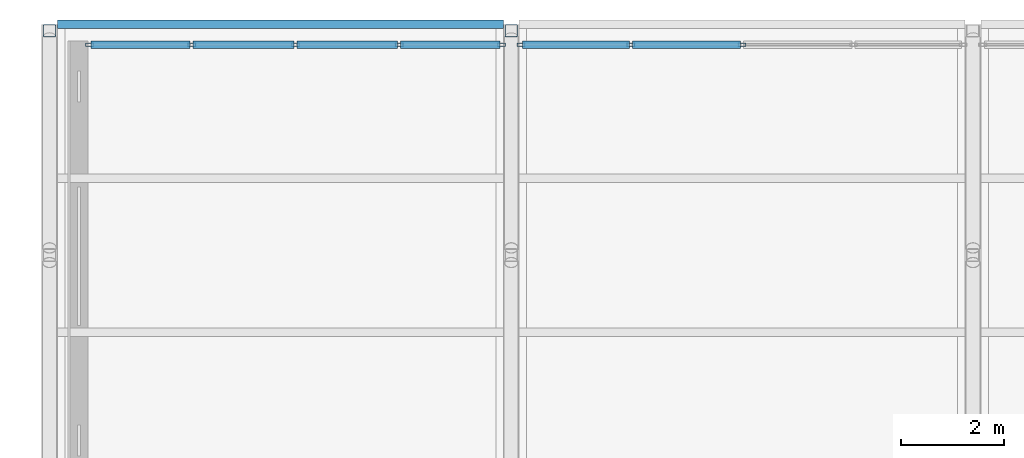
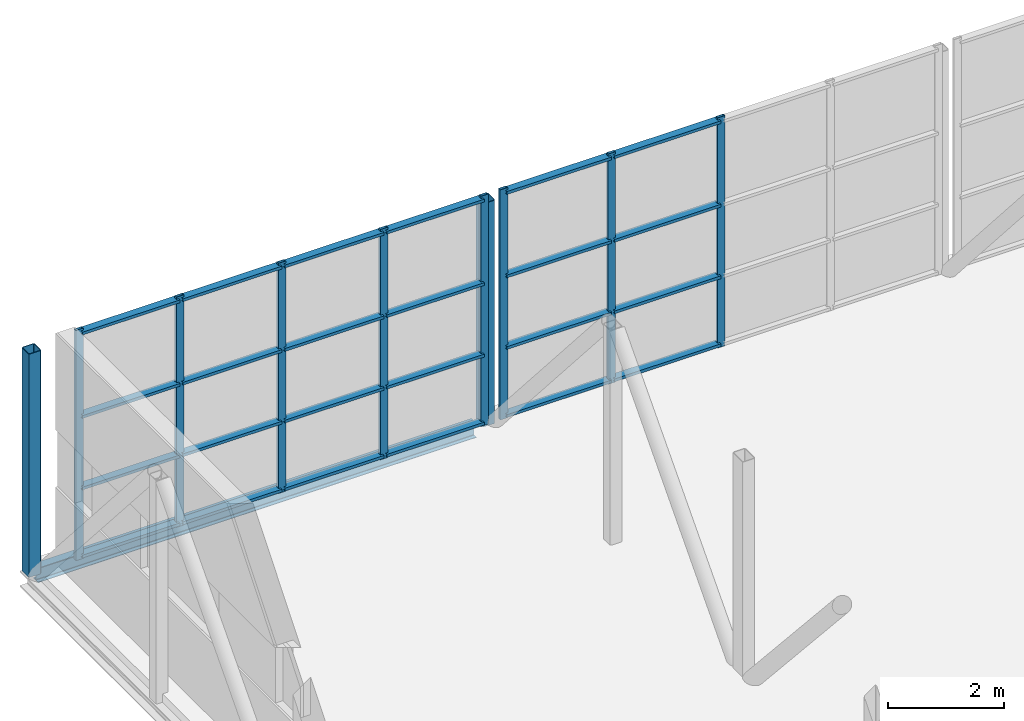
# One storey, part 63 of 94: 34 members, 1 beam, 2 elements without a shape of their own.
"""IFC4 building model written with IfcOpenShell, lengths in metres."""

from ifc_helpers import new_model, si_unit, direction, frame, origin, origin_2d, place, context, subcontext, project, spatial, hollow_rectangle, i_section, extrude, material, layer, layer_set, material_profile, profile_set, type_object, element, aggregate, save


model = new_model("IFC4")

# Units and contexts
model_context = context("Model", 3, precision=1e-05, world=origin(), true_north=direction((0.0, 1.0)))
body_context = subcontext(model_context, "Body", "Model", "MODEL_VIEW")
ifc_project = project(units=[si_unit("LENGTHUNIT", "METRE"), si_unit("AREAUNIT", "SQUARE_METRE"), si_unit("VOLUMEUNIT", "CUBIC_METRE"), si_unit("PLANEANGLEUNIT", "RADIAN"), si_unit("MASSUNIT", "GRAM", prefix="KILO")], contexts=[model_context])

# Site, building, storey
site_placement = place(None, origin())
site = spatial("IfcSite", under=ifc_project, at=site_placement, CompositionType="ELEMENT")
building_placement = place(site_placement, origin())
building = spatial("IfcBuilding", under=site, at=building_placement, Name="Shorebreak Coast Museum", CompositionType="ELEMENT")
storey_placement = place(building_placement, frame((0.0, 0.0, 31.0)))
storey = spatial("IfcBuildingStorey", under=building, at=storey_placement, Name="L05", CompositionType="ELEMENT", Elevation=31.0)

# Curtain wall, members
ifc_material_1 = material(Name="Aluminium", Category="aluminium")
ifc_layer = layer(ifc_material_1, 0.14990234375)
ifc_layer_set = layer_set([ifc_layer], Name="Aluminium")
curtain_wall_type = type_object("IfcCurtainWallType", Name="Barrel end glazing", PredefinedType="NOTDEFINED", material=ifc_layer_set)
curtain_wall_1_placement = place(storey_placement, origin())
curtain_wall_1 = element("IfcCurtainWall", 1, at=curtain_wall_1_placement, inside=storey, type_object=curtain_wall_type, Name="Barrel end glazing L05 1", PredefinedType="NOTDEFINED")
ifc_material_2 = material(Name="Aluminium", Category="aluminium")
ifc_material_profile_1 = material_profile(ifc_material_2, hollow_rectangle(XDim=0.06005859375, YDim=0.14990234375, WallThickness=0.00390625, at=origin_2d()), Name="AL 150x60 RHS")
ifc_profile_set_1 = profile_set([ifc_material_profile_1], Name="Aluminium")
member_type_1 = type_object("IfcMemberType", Name="Barrel mullion 60 x 150", PredefinedType="MULLION", material=ifc_profile_set_1)
member_1_placement = place(storey_placement, frame((54.780029296875, 134.60009765625, 0.0), z_axis=(0.0, 0.0, 1.0), x_axis=(0.0, 1.0, 0.0)))
member_1 = element("IfcMember", 2, at=member_1_placement, type_object=member_type_1, Name="CW7 mullion 1", PredefinedType="MULLION", context=body_context, shape_type="SweptSolid", body=[
    extrude(hollow_rectangle(XDim=0.06005859375, YDim=0.14990234375, WallThickness=0.00390625, at=origin_2d()), origin(), (0.0, 0.0, 1.0), 4.824951171875),
])
member_2_placement = place(storey_placement, frame((56.77197265625, 134.60009765625, 0.0), z_axis=(0.0, 0.0, 1.0), x_axis=(0.0, 1.0, 0.0)))
member_2 = element("IfcMember", 3, at=member_2_placement, type_object=member_type_1, Name="CW7 mullion 2", PredefinedType="MULLION", context=body_context, shape_type="SweptSolid", body=[
    extrude(hollow_rectangle(XDim=0.06005859375, YDim=0.14990234375, WallThickness=0.00390625, at=origin_2d()), origin(), (0.0, 0.0, 1.0), 4.824951171875),
])
member_3_placement = place(storey_placement, frame((58.7939453125, 134.60009765625, 0.0), z_axis=(0.0, 0.0, 1.0), x_axis=(0.0, 1.0, 0.0)))
member_3 = element("IfcMember", 4, at=member_3_placement, type_object=member_type_1, Name="CW7 mullion 3", PredefinedType="MULLION", context=body_context, shape_type="SweptSolid", body=[
    extrude(hollow_rectangle(XDim=0.06005859375, YDim=0.14990234375, WallThickness=0.00390625, at=origin_2d()), origin(), (0.0, 0.0, 1.0), 4.824951171875),
])
member_4_placement = place(storey_placement, frame((60.816162109375, 134.60009765625, 0.0), z_axis=(0.0, 0.0, 1.0), x_axis=(0.0, 1.0, 0.0)))
member_4 = element("IfcMember", 5, at=member_4_placement, type_object=member_type_1, Name="CW7 mullion 4", PredefinedType="MULLION", context=body_context, shape_type="SweptSolid", body=[
    extrude(hollow_rectangle(XDim=0.06005859375, YDim=0.14990234375, WallThickness=0.00390625, at=origin_2d()), origin(), (0.0, 0.0, 1.0), 4.824951171875),
])
member_5_placement = place(storey_placement, frame((62.80810546875, 134.60009765625, 0.0), z_axis=(0.0, 0.0, 1.0), x_axis=(0.0, 1.0, 0.0)))
member_5 = element("IfcMember", 6, at=member_5_placement, type_object=member_type_1, Name="CW7 mullion 5", PredefinedType="MULLION", context=body_context, shape_type="SweptSolid", body=[
    extrude(hollow_rectangle(XDim=0.06005859375, YDim=0.14990234375, WallThickness=0.00390625, at=origin_2d()), origin(), (0.0, 0.0, 1.0), 4.824951171875),
])

curtain_wall_2_placement = place(storey_placement, origin())
curtain_wall_2 = element("IfcCurtainWall", 7, at=curtain_wall_2_placement, inside=storey, type_object=curtain_wall_type, Name="Barrel end glazing L05 2", PredefinedType="NOTDEFINED")
member_6_placement = place(storey_placement, frame((63.19189453125, 134.60009765625, 0.0), z_axis=(0.0, 0.0, 1.0), x_axis=(0.0, 1.0, 0.0)))
member_6 = element("IfcMember", 8, at=member_6_placement, type_object=member_type_1, Name="CW7 mullion 1", PredefinedType="MULLION", context=body_context, shape_type="SweptSolid", body=[
    extrude(hollow_rectangle(XDim=0.06005859375, YDim=0.14990234375, WallThickness=0.00390625, at=origin_2d()), origin(), (0.0, 0.0, 1.0), 4.824951171875),
])
member_7_placement = place(storey_placement, frame((65.330810546875, 134.60009765625, 0.0), z_axis=(0.0, 0.0, 1.0), x_axis=(0.0, 1.0, 0.0)))
member_7 = element("IfcMember", 9, at=member_7_placement, type_object=member_type_1, Name="CW7 mullion 2", PredefinedType="MULLION", context=body_context, shape_type="SweptSolid", body=[
    extrude(hollow_rectangle(XDim=0.06005859375, YDim=0.14990234375, WallThickness=0.00390625, at=origin_2d()), origin(), (0.0, 0.0, 1.0), 4.824951171875),
])
member_8_placement = place(storey_placement, frame((67.5, 134.60009765625, 0.0), z_axis=(0.0, 0.0, 1.0), x_axis=(0.0, 1.0, 0.0)))
member_8 = element("IfcMember", 10, at=member_8_placement, type_object=member_type_1, Name="CW7 mullion 3", PredefinedType="MULLION", context=body_context, shape_type="SweptSolid", body=[
    extrude(hollow_rectangle(XDim=0.06005859375, YDim=0.14990234375, WallThickness=0.00390625, at=origin_2d()), origin(), (0.0, 0.0, 1.0), 4.824951171875),
])

# Member
ifc_material_3 = material(Name="Aluminium", Category="aluminium")
ifc_material_profile_2 = material_profile(ifc_material_3, hollow_rectangle(XDim=0.14990234375, YDim=0.06005859375, WallThickness=0.00390625, at=origin_2d()), Name="AL 60x150 RHS")
ifc_profile_set_2 = profile_set([ifc_material_profile_2], Name="Aluminium")
member_type_2 = type_object("IfcMemberType", Name="Barrel transom 150 x 60", PredefinedType="USERDEFINED", material=ifc_profile_set_2)
member_9_placement = place(storey_placement, frame((54.81005859375, 134.60009765625, 0.074951171875), z_axis=(1.0, 0.0, 0.0), x_axis=(0.0, 1.0, 0.0)))
member_9 = element("IfcMember", 11, at=member_9_placement, type_object=member_type_2, Name="CW7 transom 1.1", ObjectType="TRANSOM", PredefinedType="USERDEFINED", context=body_context, shape_type="SweptSolid", body=[
    extrude(hollow_rectangle(XDim=0.14990234375, YDim=0.06005859375, WallThickness=0.00390625, at=origin_2d()), origin(), (0.0, 0.0, 1.0), 1.931884765625),
])

member_10_placement = place(storey_placement, frame((54.81005859375, 134.60009765625, 1.5), z_axis=(1.0, 0.0, 0.0), x_axis=(0.0, 1.0, 0.0)))
member_10 = element("IfcMember", 12, at=member_10_placement, type_object=member_type_2, Name="CW7 transom 1.2", ObjectType="TRANSOM", PredefinedType="USERDEFINED", context=body_context, shape_type="SweptSolid", body=[
    extrude(hollow_rectangle(XDim=0.14990234375, YDim=0.06005859375, WallThickness=0.00390625, at=origin_2d()), origin(), (0.0, 0.0, 1.0), 1.931884765625),
])

member_11_placement = place(storey_placement, frame((54.81005859375, 134.60009765625, 3.0), z_axis=(1.0, 0.0, 0.0), x_axis=(0.0, 1.0, 0.0)))
member_11 = element("IfcMember", 13, at=member_11_placement, type_object=member_type_2, Name="CW7 transom 1.3", ObjectType="TRANSOM", PredefinedType="USERDEFINED", context=body_context, shape_type="SweptSolid", body=[
    extrude(hollow_rectangle(XDim=0.14990234375, YDim=0.06005859375, WallThickness=0.00390625, at=origin_2d()), origin(), (0.0, 0.0, 1.0), 1.931884765625),
])

member_12_placement = place(storey_placement, frame((54.81005859375, 134.60009765625, 4.75), z_axis=(1.0, 0.0, 0.0), x_axis=(0.0, 1.0, 0.0)))
member_12 = element("IfcMember", 14, at=member_12_placement, type_object=member_type_2, Name="CW7 transom 1.4", ObjectType="TRANSOM", PredefinedType="USERDEFINED", context=body_context, shape_type="SweptSolid", body=[
    extrude(hollow_rectangle(XDim=0.14990234375, YDim=0.06005859375, WallThickness=0.00390625, at=origin_2d()), origin(), (0.0, 0.0, 1.0), 1.931884765625),
])

member_13_placement = place(storey_placement, frame((56.802001953125, 134.60009765625, 0.074951171875), z_axis=(1.0, 0.0, 0.0), x_axis=(0.0, 1.0, 0.0)))
member_13 = element("IfcMember", 15, at=member_13_placement, type_object=member_type_2, Name="CW7 transom 2.1", ObjectType="TRANSOM", PredefinedType="USERDEFINED", context=body_context, shape_type="SweptSolid", body=[
    extrude(hollow_rectangle(XDim=0.14990234375, YDim=0.06005859375, WallThickness=0.00390625, at=origin_2d()), origin(), (0.0, 0.0, 1.0), 1.962158203125),
])

member_14_placement = place(storey_placement, frame((56.802001953125, 134.60009765625, 1.5), z_axis=(1.0, 0.0, 0.0), x_axis=(0.0, 1.0, 0.0)))
member_14 = element("IfcMember", 16, at=member_14_placement, type_object=member_type_2, Name="CW7 transom 2.2", ObjectType="TRANSOM", PredefinedType="USERDEFINED", context=body_context, shape_type="SweptSolid", body=[
    extrude(hollow_rectangle(XDim=0.14990234375, YDim=0.06005859375, WallThickness=0.00390625, at=origin_2d()), origin(), (0.0, 0.0, 1.0), 1.962158203125),
])

member_15_placement = place(storey_placement, frame((56.802001953125, 134.60009765625, 3.0), z_axis=(1.0, 0.0, 0.0), x_axis=(0.0, 1.0, 0.0)))
member_15 = element("IfcMember", 17, at=member_15_placement, type_object=member_type_2, Name="CW7 transom 2.3", ObjectType="TRANSOM", PredefinedType="USERDEFINED", context=body_context, shape_type="SweptSolid", body=[
    extrude(hollow_rectangle(XDim=0.14990234375, YDim=0.06005859375, WallThickness=0.00390625, at=origin_2d()), origin(), (0.0, 0.0, 1.0), 1.962158203125),
])

member_16_placement = place(storey_placement, frame((56.802001953125, 134.60009765625, 4.75), z_axis=(1.0, 0.0, 0.0), x_axis=(0.0, 1.0, 0.0)))
member_16 = element("IfcMember", 18, at=member_16_placement, type_object=member_type_2, Name="CW7 transom 2.4", ObjectType="TRANSOM", PredefinedType="USERDEFINED", context=body_context, shape_type="SweptSolid", body=[
    extrude(hollow_rectangle(XDim=0.14990234375, YDim=0.06005859375, WallThickness=0.00390625, at=origin_2d()), origin(), (0.0, 0.0, 1.0), 1.962158203125),
])

member_17_placement = place(storey_placement, frame((58.823974609375, 134.60009765625, 0.074951171875), z_axis=(1.0, 0.0, 0.0), x_axis=(0.0, 1.0, 0.0)))
member_17 = element("IfcMember", 19, at=member_17_placement, type_object=member_type_2, Name="CW7 transom 3.1", ObjectType="TRANSOM", PredefinedType="USERDEFINED", context=body_context, shape_type="SweptSolid", body=[
    extrude(hollow_rectangle(XDim=0.14990234375, YDim=0.06005859375, WallThickness=0.00390625, at=origin_2d()), origin(), (0.0, 0.0, 1.0), 1.962158203125),
])

member_18_placement = place(storey_placement, frame((58.823974609375, 134.60009765625, 1.5), z_axis=(1.0, 0.0, 0.0), x_axis=(0.0, 1.0, 0.0)))
member_18 = element("IfcMember", 20, at=member_18_placement, type_object=member_type_2, Name="CW7 transom 3.2", ObjectType="TRANSOM", PredefinedType="USERDEFINED", context=body_context, shape_type="SweptSolid", body=[
    extrude(hollow_rectangle(XDim=0.14990234375, YDim=0.06005859375, WallThickness=0.00390625, at=origin_2d()), origin(), (0.0, 0.0, 1.0), 1.962158203125),
])

member_19_placement = place(storey_placement, frame((58.823974609375, 134.60009765625, 3.0), z_axis=(1.0, 0.0, 0.0), x_axis=(0.0, 1.0, 0.0)))
member_19 = element("IfcMember", 21, at=member_19_placement, type_object=member_type_2, Name="CW7 transom 3.3", ObjectType="TRANSOM", PredefinedType="USERDEFINED", context=body_context, shape_type="SweptSolid", body=[
    extrude(hollow_rectangle(XDim=0.14990234375, YDim=0.06005859375, WallThickness=0.00390625, at=origin_2d()), origin(), (0.0, 0.0, 1.0), 1.962158203125),
])

member_20_placement = place(storey_placement, frame((58.823974609375, 134.60009765625, 4.75), z_axis=(1.0, 0.0, 0.0), x_axis=(0.0, 1.0, 0.0)))
member_20 = element("IfcMember", 22, at=member_20_placement, type_object=member_type_2, Name="CW7 transom 3.4", ObjectType="TRANSOM", PredefinedType="USERDEFINED", context=body_context, shape_type="SweptSolid", body=[
    extrude(hollow_rectangle(XDim=0.14990234375, YDim=0.06005859375, WallThickness=0.00390625, at=origin_2d()), origin(), (0.0, 0.0, 1.0), 1.962158203125),
])

member_21_placement = place(storey_placement, frame((60.84619140625, 134.60009765625, 0.074951171875), z_axis=(1.0, 0.0, 0.0), x_axis=(0.0, 1.0, 0.0)))
member_21 = element("IfcMember", 23, at=member_21_placement, type_object=member_type_2, Name="CW7 transom 4.1", ObjectType="TRANSOM", PredefinedType="USERDEFINED", context=body_context, shape_type="SweptSolid", body=[
    extrude(hollow_rectangle(XDim=0.14990234375, YDim=0.06005859375, WallThickness=0.00390625, at=origin_2d()), origin(), (0.0, 0.0, 1.0), 1.931884765625),
])

member_22_placement = place(storey_placement, frame((60.84619140625, 134.60009765625, 1.5), z_axis=(1.0, 0.0, 0.0), x_axis=(0.0, 1.0, 0.0)))
member_22 = element("IfcMember", 24, at=member_22_placement, type_object=member_type_2, Name="CW7 transom 4.2", ObjectType="TRANSOM", PredefinedType="USERDEFINED", context=body_context, shape_type="SweptSolid", body=[
    extrude(hollow_rectangle(XDim=0.14990234375, YDim=0.06005859375, WallThickness=0.00390625, at=origin_2d()), origin(), (0.0, 0.0, 1.0), 1.931884765625),
])

member_23_placement = place(storey_placement, frame((60.84619140625, 134.60009765625, 3.0), z_axis=(1.0, 0.0, 0.0), x_axis=(0.0, 1.0, 0.0)))
member_23 = element("IfcMember", 25, at=member_23_placement, type_object=member_type_2, Name="CW7 transom 4.3", ObjectType="TRANSOM", PredefinedType="USERDEFINED", context=body_context, shape_type="SweptSolid", body=[
    extrude(hollow_rectangle(XDim=0.14990234375, YDim=0.06005859375, WallThickness=0.00390625, at=origin_2d()), origin(), (0.0, 0.0, 1.0), 1.931884765625),
])

member_24_placement = place(storey_placement, frame((60.84619140625, 134.60009765625, 4.75), z_axis=(1.0, 0.0, 0.0), x_axis=(0.0, 1.0, 0.0)))
member_24 = element("IfcMember", 26, at=member_24_placement, type_object=member_type_2, Name="CW7 transom 4.4", ObjectType="TRANSOM", PredefinedType="USERDEFINED", context=body_context, shape_type="SweptSolid", body=[
    extrude(hollow_rectangle(XDim=0.14990234375, YDim=0.06005859375, WallThickness=0.00390625, at=origin_2d()), origin(), (0.0, 0.0, 1.0), 1.931884765625),
])

aggregate(curtain_wall_1, [member_1, member_2, member_3, member_4, member_5, member_9, member_10, member_11, member_12, member_13, member_14, member_15, member_16, member_17, member_18, member_19, member_20, member_21, member_22, member_23, member_24])

member_25_placement = place(storey_placement, frame((63.221923828125, 134.60009765625, 0.074951171875), z_axis=(1.0, 0.0, 0.0), x_axis=(0.0, 1.0, 0.0)))
member_25 = element("IfcMember", 27, at=member_25_placement, type_object=member_type_2, Name="CW7 transom 1.1", ObjectType="TRANSOM", PredefinedType="USERDEFINED", context=body_context, shape_type="SweptSolid", body=[
    extrude(hollow_rectangle(XDim=0.14990234375, YDim=0.06005859375, WallThickness=0.00390625, at=origin_2d()), origin(), (0.0, 0.0, 1.0), 2.0791015625),
])

member_26_placement = place(storey_placement, frame((63.221923828125, 134.60009765625, 1.5), z_axis=(1.0, 0.0, 0.0), x_axis=(0.0, 1.0, 0.0)))
member_26 = element("IfcMember", 28, at=member_26_placement, type_object=member_type_2, Name="CW7 transom 1.2", ObjectType="TRANSOM", PredefinedType="USERDEFINED", context=body_context, shape_type="SweptSolid", body=[
    extrude(hollow_rectangle(XDim=0.14990234375, YDim=0.06005859375, WallThickness=0.00390625, at=origin_2d()), origin(), (0.0, 0.0, 1.0), 2.0791015625),
])

member_27_placement = place(storey_placement, frame((63.221923828125, 134.60009765625, 3.0), z_axis=(1.0, 0.0, 0.0), x_axis=(0.0, 1.0, 0.0)))
member_27 = element("IfcMember", 29, at=member_27_placement, type_object=member_type_2, Name="CW7 transom 1.3", ObjectType="TRANSOM", PredefinedType="USERDEFINED", context=body_context, shape_type="SweptSolid", body=[
    extrude(hollow_rectangle(XDim=0.14990234375, YDim=0.06005859375, WallThickness=0.00390625, at=origin_2d()), origin(), (0.0, 0.0, 1.0), 2.0791015625),
])

member_28_placement = place(storey_placement, frame((63.221923828125, 134.60009765625, 4.75), z_axis=(1.0, 0.0, 0.0), x_axis=(0.0, 1.0, 0.0)))
member_28 = element("IfcMember", 30, at=member_28_placement, type_object=member_type_2, Name="CW7 transom 1.4", ObjectType="TRANSOM", PredefinedType="USERDEFINED", context=body_context, shape_type="SweptSolid", body=[
    extrude(hollow_rectangle(XDim=0.14990234375, YDim=0.06005859375, WallThickness=0.00390625, at=origin_2d()), origin(), (0.0, 0.0, 1.0), 2.0791015625),
])

member_29_placement = place(storey_placement, frame((65.36083984375, 134.60009765625, 0.074951171875), z_axis=(1.0, 0.0, 0.0), x_axis=(0.0, 1.0, 0.0)))
member_29 = element("IfcMember", 31, at=member_29_placement, type_object=member_type_2, Name="CW7 transom 2.1", ObjectType="TRANSOM", PredefinedType="USERDEFINED", context=body_context, shape_type="SweptSolid", body=[
    extrude(hollow_rectangle(XDim=0.14990234375, YDim=0.06005859375, WallThickness=0.00390625, at=origin_2d()), origin(), (0.0, 0.0, 1.0), 2.109130859375),
])

member_30_placement = place(storey_placement, frame((65.36083984375, 134.60009765625, 1.5), z_axis=(1.0, 0.0, 0.0), x_axis=(0.0, 1.0, 0.0)))
member_30 = element("IfcMember", 32, at=member_30_placement, type_object=member_type_2, Name="CW7 transom 2.2", ObjectType="TRANSOM", PredefinedType="USERDEFINED", context=body_context, shape_type="SweptSolid", body=[
    extrude(hollow_rectangle(XDim=0.14990234375, YDim=0.06005859375, WallThickness=0.00390625, at=origin_2d()), origin(), (0.0, 0.0, 1.0), 2.109130859375),
])

member_31_placement = place(storey_placement, frame((65.36083984375, 134.60009765625, 3.0), z_axis=(1.0, 0.0, 0.0), x_axis=(0.0, 1.0, 0.0)))
member_31 = element("IfcMember", 33, at=member_31_placement, type_object=member_type_2, Name="CW7 transom 2.3", ObjectType="TRANSOM", PredefinedType="USERDEFINED", context=body_context, shape_type="SweptSolid", body=[
    extrude(hollow_rectangle(XDim=0.14990234375, YDim=0.06005859375, WallThickness=0.00390625, at=origin_2d()), origin(), (0.0, 0.0, 1.0), 2.109130859375),
])

member_32_placement = place(storey_placement, frame((65.36083984375, 134.60009765625, 4.75), z_axis=(1.0, 0.0, 0.0), x_axis=(0.0, 1.0, 0.0)))
member_32 = element("IfcMember", 34, at=member_32_placement, type_object=member_type_2, Name="CW7 transom 2.4", ObjectType="TRANSOM", PredefinedType="USERDEFINED", context=body_context, shape_type="SweptSolid", body=[
    extrude(hollow_rectangle(XDim=0.14990234375, YDim=0.06005859375, WallThickness=0.00390625, at=origin_2d()), origin(), (0.0, 0.0, 1.0), 2.109130859375),
])

aggregate(curtain_wall_2, [member_6, member_7, member_8, member_25, member_26, member_27, member_28, member_29, member_30, member_31, member_32])

# Beam
ifc_material_4 = material(Name="Steel Grade 300", Category="steel")
ifc_material_profile_3 = material_profile(ifc_material_4, i_section(OverallWidth=0.166015625, OverallDepth=0.30712890625, WebThickness=0.006591796875, FlangeThickness=0.01171875, FilletRadius=0.011474609375, at=origin_2d()), Name="310UB46.2")
ifc_profile_set_3 = profile_set([ifc_material_profile_3], Name="Steel Grade 300")
beam_type = type_object("IfcBeamType", Name="Floor girder east-west 310UB46.2", PredefinedType="BEAM", material=ifc_profile_set_3)
beam_placement = place(storey_placement, frame((54.155517578125, 135.0, -0.32861328125), z_axis=(1.0, 0.0, 0.0), x_axis=(0.0, 1.0, 0.0)))
element("IfcBeam", 35, at=beam_placement, inside=storey, type_object=beam_type, Name="Floor girder east-west L05 7S", PredefinedType="BEAM", context=body_context, shape_type="SweptSolid", body=[
    extrude(i_section(OverallWidth=0.166015625, OverallDepth=0.30712890625, WebThickness=0.006591796875, FlangeThickness=0.01171875, FilletRadius=0.011474609375, at=origin_2d()), origin(), (0.0, 0.0, 1.0), 8.68896484375),
])

# Members
ifc_material_5 = material(Name="Steel Grade C450L0", Category="steel")
ifc_material_profile_4 = material_profile(ifc_material_5, hollow_rectangle(XDim=0.25, YDim=0.25, WallThickness=0.012451171875, InnerFilletRadius=0.018798828125, OuterFilletRadius=0.03125, at=origin_2d()), Name="250x250x12.5 SHS")
ifc_profile_set_4 = profile_set([ifc_material_profile_4], Name="Steel Grade C450L0")
member_type_3 = type_object("IfcMemberType", Name="Transfer truss strut 250x250x12.5 SHS", PredefinedType="STRUT", material=ifc_profile_set_4)
for number, where, z_axis, x_axis, name in (
    (36, (54.0, 134.875, -0.175048828125), (0.0, 0.0, 1.0), (1.0, 0.0, 0.0), "Transfer truss TR1 strut V07"),
    (37, (63.0, 134.875, -0.175048828125), (0.0, 0.0, 1.0), (1.0, 0.0, 0.0), "Transfer truss TR2 strut V07"),
):
    element("IfcMember", number, at=place(storey_placement, frame(where, z_axis=z_axis, x_axis=x_axis)), inside=storey, type_object=member_type_3, Name=name, PredefinedType="STRUT", context=body_context, shape_type="SweptSolid", body=[
        extrude(hollow_rectangle(XDim=0.25, YDim=0.25, WallThickness=0.012451171875, InnerFilletRadius=0.018798828125, OuterFilletRadius=0.03125, at=origin_2d()), origin(), (0.0, 0.0, 1.0), 4.679443359375),
    ])

save(model, "model.ifc")
